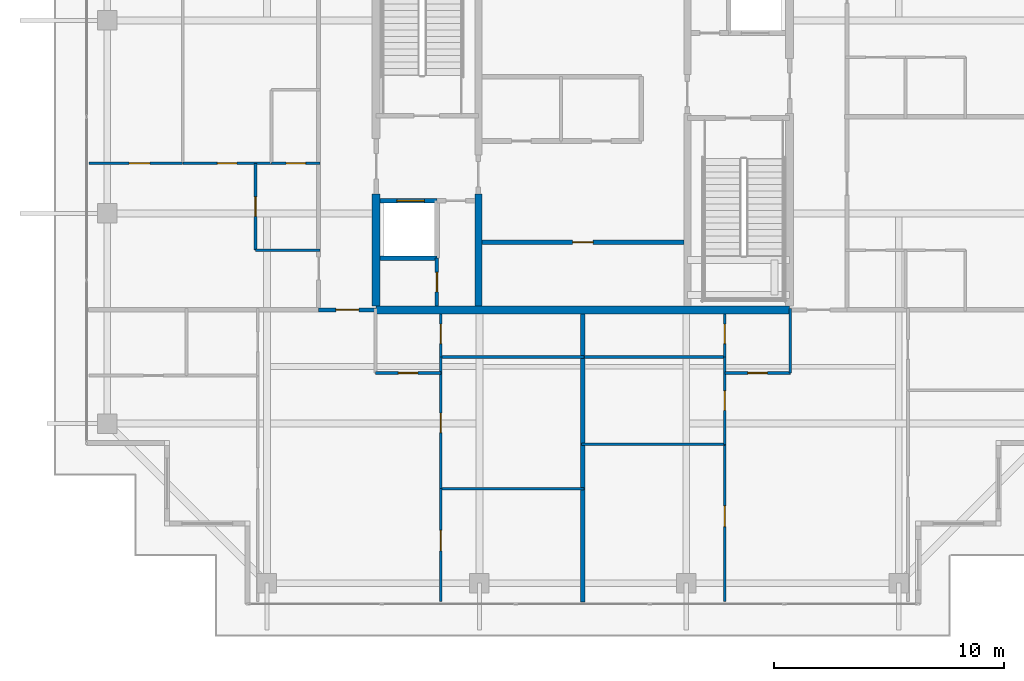
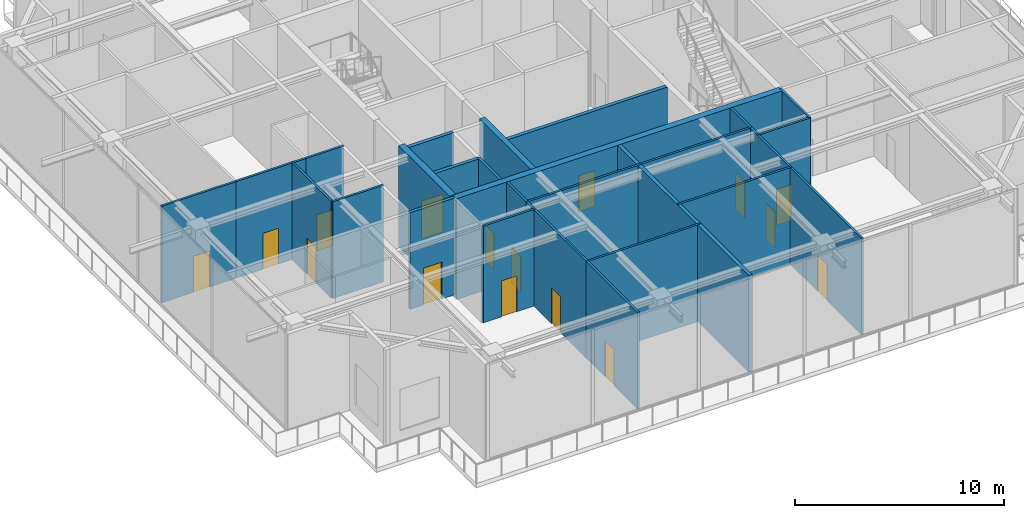
# One storey, part 27 of 40: 27 walls, 16 doors, 16 openings.
"""IFC4 building model written with IfcOpenShell, lengths in metres."""

from ifc_helpers import new_model, si_unit, direction, frame, frame_2d, origin, place, context, subcontext, project, spatial, rectangle, extrude, source, transform, mapped, material, layer, layer_set, type_object, element, fill, save


model = new_model("IFC4")

# Units and contexts
model_context = context("Model", 3, precision=1e-05, world=origin(), true_north=direction((0.0, 1.0)))
body_context = subcontext(model_context, "Body", "Model", "MODEL_VIEW")
ifc_project = project(units=[si_unit("LENGTHUNIT", "METRE"), si_unit("AREAUNIT", "SQUARE_METRE"), si_unit("VOLUMEUNIT", "CUBIC_METRE"), si_unit("PLANEANGLEUNIT", "RADIAN"), si_unit("MASSUNIT", "GRAM", prefix="KILO")], contexts=[model_context])

# Site, building, storey
site_placement = place(None, origin())
site = spatial("IfcSite", under=ifc_project, at=site_placement, CompositionType="ELEMENT")
building_placement = place(site_placement, origin())
building = spatial("IfcBuilding", under=site, at=building_placement, Name="Serunith Strait Residences", CompositionType="ELEMENT")
storey_placement = place(building_placement, frame((0.0, 0.0, 347.949951171875)))
storey = spatial("IfcBuildingStorey", under=building, at=storey_placement, Name="L86", CompositionType="ELEMENT", Elevation=347.949951171875)

# Wall, opening, door
ifc_material_1 = material(Name="Fire-rated masonry service closet wall", Category="masonry")
ifc_layer_1 = layer(ifc_material_1, 0.14990234375, Name="Fire-rated masonry service closet wall")
ifc_layer_set_1 = layer_set([ifc_layer_1], Name="Fire-rated masonry service closet wall")
wall_type_1 = type_object("IfcWallType", Name="IW-BOH-150", PredefinedType="PARTITIONING", material=ifc_layer_set_1)
wall_1_placement = place(storey_placement, frame((26.050048828125, 16.97509765625, 0.0), z_axis=(0.0, 0.0, 1.0), x_axis=(0.0, 1.0, 0.0)))
wall_1 = element("IfcWall", 1, at=wall_1_placement, inside=storey, type_object=wall_type_1, Name="L86 Partition Wall 011", PredefinedType="PARTITIONING", context=body_context, shape_type="SweptSolid", body=[
    extrude(rectangle(XDim=2.072998046875, YDim=0.14990234375, at=frame_2d((1.03662109375, 0.0))), origin(), (0.0, 0.0, 1.0), 5.64013671875),
])
opening_1_placement = place(wall_1_placement, frame((0.611083984375, 0.0, 0.0)))
opening_1 = element("IfcOpeningElement", 2, at=opening_1_placement, cuts=wall_1, Name="Opening FD-850", PredefinedType="OPENING", context=body_context, shape_type="SweptSolid", body=[
    extrude(rectangle(XDim=0.85009765625, YDim=2.10009765625, at=frame_2d((0.425048828125, 1.050048828125))), frame((0.0, 0.0849609375, 0.0), z_axis=(0.0, -1.0, 0.0), x_axis=(1.0, 0.0, 0.0)), (0.0, 0.0, 1.0), 0.169921875),
])
ifc_material_2 = material(Name="Powder-coated steel service closet door", Category="steel")
door_type_1 = type_object("IfcDoorType", Name="FD-BOH-850", OperationType="NOTDEFINED", PredefinedType="DOOR", material=ifc_material_2)
shared_shape_1 = source(origin(), body_context, "Body", "SweptSolid", [
    extrude(rectangle(XDim=0.85009765625, YDim=2.10009765625, at=frame_2d((0.425048828125, 1.050048828125))), frame((0.0, 0.02490234375, 0.0), z_axis=(0.0, -1.0, 0.0), x_axis=(1.0, 0.0, 0.0)), (0.0, 0.0, 1.0), 0.050048828125),
])
door_1_placement = place(opening_1_placement, origin())
door_1 = element("IfcDoor", 3, at=door_1_placement, inside=storey, type_object=door_type_1, Name="L86 Cleaner Store Door", OperationType="SINGLE_SWING_RIGHT", OverallHeight=2.10009765625, OverallWidth=0.85009765625, PredefinedType="DOOR", context=body_context, shape_type="MappedRepresentation", body=[
    mapped(shared_shape_1, transform((0.0, 0.0, 0.0), scale=1.0)),
])
fill(opening_1, door_1)

ifc_material_3 = material(Name="Fire-rated acoustic gypsum partition")
ifc_layer_2 = layer(ifc_material_3, 0.179931640625, Name="Fire-rated acoustic gypsum partition")
ifc_layer_set_2 = layer_set([ifc_layer_2], Name="Fire-rated acoustic gypsum partition")
wall_type_2 = type_object("IfcWallType", Name="IW-CORR-180", PredefinedType="PARTITIONING", material=ifc_layer_set_2)
wall_2_placement = place(storey_placement, frame((20.902099609375, 16.800048828125, 0.0), z_axis=(0.0, 0.0, 1.0), x_axis=(1.0, 0.0, 0.0)))
wall_2 = element("IfcWall", 4, at=wall_2_placement, inside=storey, type_object=wall_type_2, Name="L86 Partition Wall 024", PredefinedType="PARTITIONING", context=body_context, shape_type="SweptSolid", body=[
    extrude(rectangle(XDim=2.495849609375, YDim=0.179931640625, at=frame_2d((1.248046875, 0.0))), origin(), (0.0, 0.0, 1.0), 5.64013671875),
])
opening_2_placement = place(wall_2_placement, frame((0.748046875, 0.0, 0.0)))
opening_2 = element("IfcOpeningElement", 5, at=opening_2_placement, cuts=wall_2, Name="Opening D-APT1000", PredefinedType="OPENING", context=body_context, shape_type="SweptSolid", body=[
    extrude(rectangle(XDim=1.0, YDim=2.14990234375, at=frame_2d((0.5, 1.074951171875))), frame((0.0, 0.10009765625, 0.0), z_axis=(0.0, -1.0, 0.0), x_axis=(1.0, 0.0, 0.0)), (0.0, 0.0, 1.0), 0.199951171875),
])
ifc_material_4 = material(Name="Solid timber engineered fire door", Category="wood")
door_type_2 = type_object("IfcDoorType", Name="ID-APT-1000", OperationType="NOTDEFINED", PredefinedType="DOOR", material=ifc_material_4)
shared_shape_2 = source(origin(), body_context, "Body", "SweptSolid", [
    extrude(rectangle(XDim=1.0, YDim=2.14990234375, at=frame_2d((0.5, 1.074951171875))), frame((0.0, 0.02490234375, 0.0), z_axis=(0.0, -1.0, 0.0), x_axis=(1.0, 0.0, 0.0)), (0.0, 0.0, 1.0), 0.050048828125),
])
door_2_placement = place(opening_2_placement, origin())
door_2 = element("IfcDoor", 6, at=door_2_placement, inside=storey, type_object=door_type_2, Name="L86 Unit 01 Entrance Door", OperationType="SINGLE_SWING_RIGHT", OverallHeight=2.14990234375, OverallWidth=1.0, PredefinedType="DOOR", context=body_context, shape_type="MappedRepresentation", body=[
    mapped(shared_shape_2, transform((0.0, 0.0, 0.0), scale=1.0)),
])
fill(opening_2, door_2)

ifc_material_5 = material(Name="Lightweight steel-stud gypsum partition", Category="steel")
ifc_layer_3 = layer(ifc_material_5, 0.1201171875, Name="Lightweight steel-stud gypsum partition")
ifc_layer_set_3 = layer_set([ifc_layer_3], Name="Lightweight steel-stud gypsum partition")
wall_type_3 = type_object("IfcWallType", Name="IW-PART-120", PredefinedType="PARTITIONING", material=ifc_layer_set_3)
wall_3_placement = place(storey_placement, frame((23.3701171875, 14.050048828125, 0.0), z_axis=(0.0, 0.0, 1.0), x_axis=(1.0, 0.0, 0.0)))
wall_3 = element("IfcWall", 7, at=wall_3_placement, inside=storey, type_object=wall_type_3, Name="L86 Partition Wall 030", PredefinedType="PARTITIONING", context=body_context, shape_type="SweptSolid", body=[
    extrude(rectangle(XDim=2.849853515625, YDim=0.1201171875, at=frame_2d((1.4248046875, 0.0))), origin(), (0.0, 0.0, 1.0), 5.64013671875),
])
opening_3_placement = place(wall_3_placement, frame((1.0, 0.0, 0.0)))
opening_3 = element("IfcOpeningElement", 8, at=opening_3_placement, cuts=wall_3, Name="Opening D-RM850", PredefinedType="OPENING", context=body_context, shape_type="SweptSolid", body=[
    extrude(rectangle(XDim=0.85009765625, YDim=2.10009765625, at=frame_2d((0.425048828125, 1.050048828125))), frame((0.0, 0.070068359375, 0.0), z_axis=(0.0, -1.0, 0.0), x_axis=(1.0, 0.0, 0.0)), (0.0, 0.0, 1.0), 0.14013671875),
])
ifc_material_6 = material(Name="Engineered timber flush study and kitchen door", Category="wood")
door_type_3 = type_object("IfcDoorType", Name="ID-ROOM-850", OperationType="NOTDEFINED", PredefinedType="DOOR", material=ifc_material_6)
door_3_placement = place(opening_3_placement, origin())
door_3 = element("IfcDoor", 9, at=door_3_placement, inside=storey, type_object=door_type_3, Name="L86 Kitchen 8601 Door", OperationType="SINGLE_SWING_RIGHT", OverallHeight=2.10009765625, OverallWidth=0.85009765625, PredefinedType="DOOR", context=body_context, shape_type="MappedRepresentation", body=[
    mapped(shared_shape_1, transform((0.0, 0.0, 0.0), scale=1.0)),
])
fill(opening_3, door_3)

wall_4_placement = place(storey_placement, frame((26.219970703125, 4.094970703125, 0.0), z_axis=(0.0, 0.0, 1.0), x_axis=(0.0, 1.0, 0.0)))
wall_4 = element("IfcWall", 10, at=wall_4_placement, inside=storey, type_object=wall_type_3, Name="L86 Partition Wall 037", PredefinedType="PARTITIONING", context=body_context, shape_type="SweptSolid", body=[
    extrude(rectangle(XDim=4.919921875, YDim=0.1201171875, at=frame_2d((2.4599609375, 0.0))), origin(), (0.0, 0.0, 1.0), 5.64013671875),
])
opening_4_placement = place(wall_4_placement, frame((2.2109375, 0.0, 0.0)))
opening_4 = element("IfcOpeningElement", 11, at=opening_4_placement, cuts=wall_4, Name="Opening D-RM900", PredefinedType="OPENING", context=body_context, shape_type="SweptSolid", body=[
    extrude(rectangle(XDim=0.89990234375, YDim=2.10009765625, at=frame_2d((0.449951171875, 1.050048828125))), frame((0.0, 0.070068359375, 0.0), z_axis=(0.0, -1.0, 0.0), x_axis=(1.0, 0.0, 0.0)), (0.0, 0.0, 1.0), 0.14013671875),
])
ifc_material_7 = material(Name="Engineered timber flush bedroom door", Category="wood")
door_type_4 = type_object("IfcDoorType", Name="ID-ROOM-900", OperationType="NOTDEFINED", PredefinedType="DOOR", material=ifc_material_7)
shared_shape_3 = source(origin(), body_context, "Body", "SweptSolid", [
    extrude(rectangle(XDim=0.89990234375, YDim=2.10009765625, at=frame_2d((0.449951171875, 1.050048828125))), frame((0.0, 0.02490234375, 0.0), z_axis=(0.0, -1.0, 0.0), x_axis=(1.0, 0.0, 0.0)), (0.0, 0.0, 1.0), 0.050048828125),
])
door_4_placement = place(opening_4_placement, origin())
door_4 = element("IfcDoor", 12, at=door_4_placement, inside=storey, type_object=door_type_4, Name="L86 Bedroom 2 8601 Door", OperationType="SINGLE_SWING_RIGHT", OverallHeight=2.10009765625, OverallWidth=0.89990234375, PredefinedType="DOOR", context=body_context, shape_type="MappedRepresentation", body=[
    mapped(shared_shape_3, transform((0.0, 0.0, 0.0), scale=1.0)),
])
fill(opening_4, door_4)

# Walls
for number, where, z_axis, x_axis, name in (
    (13, (26.219970703125, 9.014892578125, 0.0), (0.0, 0.0, 1.0), (1.0, 0.0, 0.0), "L86 Partition Wall 038"),
    (14, (26.219970703125, 14.75, 0.0), (0.0, 0.0, 1.0), (1.0, 0.0, 0.0), "L86 Partition Wall 039"),
):
    element("IfcWall", number, at=place(storey_placement, frame(where, z_axis=z_axis, x_axis=x_axis)), inside=storey, type_object=wall_type_3, Name=name, PredefinedType="PARTITIONING", context=body_context, shape_type="SweptSolid", body=[
        extrude(rectangle(XDim=6.239990234375, YDim=0.1201171875, at=frame_2d((3.1201171875, 0.0))), origin(), (0.0, 0.0, 1.0), 5.64013671875),
    ])

# Wall, opening, door
wall_5_placement = place(storey_placement, frame((26.219970703125, 9.01708984375, 0.0), z_axis=(0.0, 0.0, 1.0), x_axis=(0.0, 1.0, 0.0)))
wall_5 = element("IfcWall", 15, at=wall_5_placement, inside=storey, type_object=wall_type_3, Name="L86 Partition Wall 040", PredefinedType="PARTITIONING", context=body_context, shape_type="SweptSolid", body=[
    extrude(rectangle(XDim=5.73291015625, YDim=0.1201171875, at=frame_2d((2.866455078125, 0.0))), origin(), (0.0, 0.0, 1.0), 5.64013671875),
])
opening_5_placement = place(wall_5_placement, frame((2.44189453125, 0.0, 0.0)))
opening_5 = element("IfcOpeningElement", 16, at=opening_5_placement, cuts=wall_5, Name="Opening D-RM850", PredefinedType="OPENING", context=body_context, shape_type="SweptSolid", body=[
    extrude(rectangle(XDim=0.85009765625, YDim=2.10009765625, at=frame_2d((0.425048828125, 1.050048828125))), frame((0.0, 0.070068359375, 0.0), z_axis=(0.0, -1.0, 0.0), x_axis=(1.0, 0.0, 0.0)), (0.0, 0.0, 1.0), 0.14013671875),
])
door_5_placement = place(opening_5_placement, origin())
door_5 = element("IfcDoor", 17, at=door_5_placement, inside=storey, type_object=door_type_3, Name="L86 Walk-in Wardrobe 8601 Door", OperationType="SINGLE_SWING_LEFT", OverallHeight=2.10009765625, OverallWidth=0.85009765625, PredefinedType="DOOR", context=body_context, shape_type="MappedRepresentation", body=[
    mapped(shared_shape_1, transform((0.0, 0.0, 0.0), scale=1.0)),
])
fill(opening_5, door_5)

wall_6_placement = place(storey_placement, frame((26.219970703125, 14.751953125, 0.0), z_axis=(0.0, 0.0, 1.0), x_axis=(0.0, 1.0, 0.0)))
wall_6 = element("IfcWall", 18, at=wall_6_placement, inside=storey, type_object=wall_type_3, Name="L86 Partition Wall 041", PredefinedType="PARTITIONING", context=body_context, shape_type="SweptSolid", body=[
    extrude(rectangle(XDim=1.873046875, YDim=0.1201171875, at=frame_2d((0.9365234375, 0.0))), origin(), (0.0, 0.0, 1.0), 5.64013671875),
])
opening_6_placement = place(wall_6_placement, frame((0.574951171875, 0.0, 0.0)))
opening_6 = element("IfcOpeningElement", 19, at=opening_6_placement, cuts=wall_6, Name="Opening D-BTH850", PredefinedType="OPENING", context=body_context, shape_type="SweptSolid", body=[
    extrude(rectangle(XDim=0.85009765625, YDim=2.10009765625, at=frame_2d((0.425048828125, 1.050048828125))), frame((0.0, 0.070068359375, 0.0), z_axis=(0.0, -1.0, 0.0), x_axis=(1.0, 0.0, 0.0)), (0.0, 0.0, 1.0), 0.14013671875),
])
ifc_material_8 = material(Name="Moisture-resistant timber bathroom door", Category="wood")
door_type_5 = type_object("IfcDoorType", Name="ID-BATH-850", OperationType="NOTDEFINED", PredefinedType="DOOR", material=ifc_material_8)
door_6_placement = place(opening_6_placement, origin())
door_6 = element("IfcDoor", 20, at=door_6_placement, inside=storey, type_object=door_type_5, Name="L86 Bathroom 8601 Door", OperationType="SINGLE_SWING_RIGHT", OverallHeight=2.10009765625, OverallWidth=0.85009765625, PredefinedType="DOOR", context=body_context, shape_type="MappedRepresentation", body=[
    mapped(shared_shape_1, transform((0.0, 0.0, 0.0), scale=1.0)),
])
fill(opening_6, door_6)

wall_7_placement = place(storey_placement, frame((38.580078125, 14.050048828125, 0.0), z_axis=(0.0, 0.0, 1.0), x_axis=(1.0, 0.0, 0.0)))
wall_7 = element("IfcWall", 21, at=wall_7_placement, inside=storey, type_object=wall_type_3, Name="L86 Partition Wall 042", PredefinedType="PARTITIONING", context=body_context, shape_type="SweptSolid", body=[
    extrude(rectangle(XDim=2.849853515625, YDim=0.1201171875, at=frame_2d((1.4248046875, 0.0))), origin(), (0.0, 0.0, 1.0), 5.64013671875),
])
opening_7_placement = place(wall_7_placement, frame((1.0, 0.0, 0.0)))
opening_7 = element("IfcOpeningElement", 22, at=opening_7_placement, cuts=wall_7, Name="Opening D-RM850", PredefinedType="OPENING", context=body_context, shape_type="SweptSolid", body=[
    extrude(rectangle(XDim=0.85009765625, YDim=2.10009765625, at=frame_2d((0.425048828125, 1.050048828125))), frame((0.0, 0.070068359375, 0.0), z_axis=(0.0, -1.0, 0.0), x_axis=(1.0, 0.0, 0.0)), (0.0, 0.0, 1.0), 0.14013671875),
])
door_7_placement = place(opening_7_placement, origin())
door_7 = element("IfcDoor", 23, at=door_7_placement, inside=storey, type_object=door_type_3, Name="L86 Kitchen 8602 Door", OperationType="SINGLE_SWING_LEFT", OverallHeight=2.10009765625, OverallWidth=0.85009765625, PredefinedType="DOOR", context=body_context, shape_type="MappedRepresentation", body=[
    mapped(shared_shape_1, transform((0.0, 0.0, 0.0), scale=1.0)),
])
fill(opening_7, door_7)

# Wall
wall_8_placement = place(storey_placement, frame((41.429931640625, 14.050048828125, 0.0), z_axis=(0.0, 0.0, 1.0), x_axis=(0.0, 1.0, 0.0)))
element("IfcWall", 24, at=wall_8_placement, inside=storey, type_object=wall_type_3, Name="L86 Partition Wall 043", PredefinedType="PARTITIONING", context=body_context, shape_type="SweptSolid", body=[
    extrude(rectangle(XDim=2.81005859375, YDim=0.1201171875, at=frame_2d((1.405029296875, 0.0))), origin(), (0.0, 0.0, 1.0), 5.64013671875),
])

# Wall, opening, door
wall_9_placement = place(storey_placement, frame((38.580078125, 4.094970703125, 0.0), z_axis=(0.0, 0.0, 1.0), x_axis=(0.0, 1.0, 0.0)))
wall_9 = element("IfcWall", 25, at=wall_9_placement, inside=storey, type_object=wall_type_3, Name="L86 Partition Wall 044", PredefinedType="PARTITIONING", context=body_context, shape_type="SweptSolid", body=[
    extrude(rectangle(XDim=6.85205078125, YDim=0.1201171875, at=frame_2d((3.426025390625, 0.0))), origin(), (0.0, 0.0, 1.0), 5.64013671875),
])
opening_8_placement = place(wall_9_placement, frame((3.27392578125, 0.0, 0.0)))
opening_8 = element("IfcOpeningElement", 26, at=opening_8_placement, cuts=wall_9, Name="Opening D-RM900", PredefinedType="OPENING", context=body_context, shape_type="SweptSolid", body=[
    extrude(rectangle(XDim=0.89990234375, YDim=2.10009765625, at=frame_2d((0.449951171875, 1.050048828125))), frame((0.0, 0.070068359375, 0.0), z_axis=(0.0, -1.0, 0.0), x_axis=(1.0, 0.0, 0.0)), (0.0, 0.0, 1.0), 0.14013671875),
])
door_8_placement = place(opening_8_placement, origin())
door_8 = element("IfcDoor", 27, at=door_8_placement, inside=storey, type_object=door_type_4, Name="L86 Master Bedroom 1 8602 Door", OperationType="SINGLE_SWING_RIGHT", OverallHeight=2.10009765625, OverallWidth=0.89990234375, PredefinedType="DOOR", context=body_context, shape_type="MappedRepresentation", body=[
    mapped(shared_shape_3, transform((0.0, 0.0, 0.0), scale=1.0)),
])
fill(opening_8, door_8)

# Walls
wall_10_placement = place(storey_placement, frame((32.340087890625, 10.947021484375, 0.0), z_axis=(0.0, 0.0, 1.0), x_axis=(1.0, 0.0, 0.0)))
element("IfcWall", 28, at=wall_10_placement, inside=storey, type_object=wall_type_3, Name="L86 Partition Wall 045", PredefinedType="PARTITIONING", context=body_context, shape_type="SweptSolid", body=[
    extrude(rectangle(XDim=6.239990234375, YDim=0.1201171875, at=frame_2d((3.1201171875, 0.0))), origin(), (0.0, 0.0, 1.0), 5.64013671875),
])
wall_11_placement = place(storey_placement, frame((32.4619140625, 14.75, 0.0), z_axis=(0.0, 0.0, 1.0), x_axis=(1.0, 0.0, 0.0)))
element("IfcWall", 29, at=wall_11_placement, inside=storey, type_object=wall_type_3, Name="L86 Partition Wall 046", PredefinedType="PARTITIONING", context=body_context, shape_type="SweptSolid", body=[
    extrude(rectangle(XDim=6.1181640625, YDim=0.1201171875, at=frame_2d((3.05908203125, 0.0))), origin(), (0.0, 0.0, 1.0), 5.64013671875),
])

# Wall, opening, door
wall_12_placement = place(storey_placement, frame((38.580078125, 10.948974609375, 0.0), z_axis=(0.0, 0.0, 1.0), x_axis=(0.0, 1.0, 0.0)))
wall_12 = element("IfcWall", 30, at=wall_12_placement, inside=storey, type_object=wall_type_3, Name="L86 Partition Wall 047", PredefinedType="PARTITIONING", context=body_context, shape_type="SweptSolid", body=[
    extrude(rectangle(XDim=3.801025390625, YDim=0.1201171875, at=frame_2d((1.900390625, 0.0))), origin(), (0.0, 0.0, 1.0), 5.64013671875),
])
opening_9_placement = place(wall_12_placement, frame((1.47607421875, 0.0, 0.0)))
opening_9 = element("IfcOpeningElement", 31, at=opening_9_placement, cuts=wall_12, Name="Opening D-RM850", PredefinedType="OPENING", context=body_context, shape_type="SweptSolid", body=[
    extrude(rectangle(XDim=0.85009765625, YDim=2.10009765625, at=frame_2d((0.425048828125, 1.050048828125))), frame((0.0, 0.070068359375, 0.0), z_axis=(0.0, -1.0, 0.0), x_axis=(1.0, 0.0, 0.0)), (0.0, 0.0, 1.0), 0.14013671875),
])
door_9_placement = place(opening_9_placement, origin())
door_9 = element("IfcDoor", 32, at=door_9_placement, inside=storey, type_object=door_type_3, Name="L86 Study 8602 Door", OperationType="SINGLE_SWING_LEFT", OverallHeight=2.10009765625, OverallWidth=0.85009765625, PredefinedType="DOOR", context=body_context, shape_type="MappedRepresentation", body=[
    mapped(shared_shape_1, transform((0.0, 0.0, 0.0), scale=1.0)),
])
fill(opening_9, door_9)

wall_13_placement = place(storey_placement, frame((38.580078125, 14.751953125, 0.0), z_axis=(0.0, 0.0, 1.0), x_axis=(0.0, 1.0, 0.0)))
wall_13 = element("IfcWall", 33, at=wall_13_placement, inside=storey, type_object=wall_type_3, Name="L86 Partition Wall 048", PredefinedType="PARTITIONING", context=body_context, shape_type="SweptSolid", body=[
    extrude(rectangle(XDim=1.873046875, YDim=0.1201171875, at=frame_2d((0.9365234375, 0.0))), origin(), (0.0, 0.0, 1.0), 5.64013671875),
])
opening_10_placement = place(wall_13_placement, frame((0.574951171875, 0.0, 0.0)))
opening_10 = element("IfcOpeningElement", 34, at=opening_10_placement, cuts=wall_13, Name="Opening D-BTH850", PredefinedType="OPENING", context=body_context, shape_type="SweptSolid", body=[
    extrude(rectangle(XDim=0.85009765625, YDim=2.10009765625, at=frame_2d((0.425048828125, 1.050048828125))), frame((0.0, 0.070068359375, 0.0), z_axis=(0.0, -1.0, 0.0), x_axis=(1.0, 0.0, 0.0)), (0.0, 0.0, 1.0), 0.14013671875),
])
door_10_placement = place(opening_10_placement, origin())
door_10 = element("IfcDoor", 35, at=door_10_placement, inside=storey, type_object=door_type_5, Name="L86 Bathroom 8602 Door", OperationType="SINGLE_SWING_RIGHT", OverallHeight=2.10009765625, OverallWidth=0.85009765625, PredefinedType="DOOR", context=body_context, shape_type="MappedRepresentation", body=[
    mapped(shared_shape_1, transform((0.0, 0.0, 0.0), scale=1.0)),
])
fill(opening_10, door_10)

wall_14_placement = place(storey_placement, frame((18.14990234375, 19.39990234375, 0.0), z_axis=(0.0, 0.0, 1.0), x_axis=(0.0, 1.0, 0.0)))
wall_14 = element("IfcWall", 36, at=wall_14_placement, inside=storey, type_object=wall_type_3, Name="L86 Partition Wall 074", PredefinedType="PARTITIONING", context=body_context, shape_type="SweptSolid", body=[
    extrude(rectangle(XDim=3.780029296875, YDim=0.1201171875, at=frame_2d((1.89013671875, 0.0))), origin(), (0.0, 0.0, 1.0), 5.64013671875),
])
opening_11_placement = place(wall_14_placement, frame((1.465087890625, 0.0, 0.0)))
opening_11 = element("IfcOpeningElement", 37, at=opening_11_placement, cuts=wall_14, Name="Opening D-RM850", PredefinedType="OPENING", context=body_context, shape_type="SweptSolid", body=[
    extrude(rectangle(XDim=0.85009765625, YDim=2.10009765625, at=frame_2d((0.425048828125, 1.050048828125))), frame((0.0, 0.070068359375, 0.0), z_axis=(0.0, -1.0, 0.0), x_axis=(1.0, 0.0, 0.0)), (0.0, 0.0, 1.0), 0.14013671875),
])
door_11_placement = place(opening_11_placement, origin())
door_11 = element("IfcDoor", 38, at=door_11_placement, inside=storey, type_object=door_type_3, Name="L86 Kitchen 8604 Door", OperationType="SINGLE_SWING_RIGHT", OverallHeight=2.10009765625, OverallWidth=0.85009765625, PredefinedType="DOOR", context=body_context, shape_type="MappedRepresentation", body=[
    mapped(shared_shape_1, transform((0.0, 0.0, 0.0), scale=1.0)),
])
fill(opening_11, door_11)

# Wall
wall_15_placement = place(storey_placement, frame((18.14990234375, 19.39990234375, 0.0), z_axis=(0.0, 0.0, 1.0), x_axis=(1.0, 0.0, 0.0)))
element("IfcWall", 39, at=wall_15_placement, inside=storey, type_object=wall_type_3, Name="L86 Partition Wall 075", PredefinedType="PARTITIONING", context=body_context, shape_type="SweptSolid", body=[
    extrude(rectangle(XDim=2.81005859375, YDim=0.1201171875, at=frame_2d((1.405029296875, 0.0))), origin(), (0.0, 0.0, 1.0), 5.64013671875),
])

# Wall, opening, door
wall_16_placement = place(storey_placement, frame((10.89501953125, 23.179931640625, 0.0), z_axis=(0.0, 0.0, 1.0), x_axis=(1.0, 0.0, 0.0)))
wall_16 = element("IfcWall", 40, at=wall_16_placement, inside=storey, type_object=wall_type_3, Name="L86 Partition Wall 076", PredefinedType="PARTITIONING", context=body_context, shape_type="SweptSolid", body=[
    extrude(rectangle(XDim=4.087890625, YDim=0.1201171875, at=frame_2d((2.0439453125, 0.0))), origin(), (0.0, 0.0, 1.0), 5.64013671875),
])
opening_12_placement = place(wall_16_placement, frame((1.7529296875, 0.0, 0.0)))
opening_12 = element("IfcOpeningElement", 41, at=opening_12_placement, cuts=wall_16, Name="Opening D-RM900", PredefinedType="OPENING", context=body_context, shape_type="SweptSolid", body=[
    extrude(rectangle(XDim=0.89990234375, YDim=2.10009765625, at=frame_2d((0.449951171875, 1.050048828125))), frame((0.0, 0.070068359375, 0.0), z_axis=(0.0, -1.0, 0.0), x_axis=(1.0, 0.0, 0.0)), (0.0, 0.0, 1.0), 0.14013671875),
])
door_12_placement = place(opening_12_placement, origin())
door_12 = element("IfcDoor", 42, at=door_12_placement, inside=storey, type_object=door_type_4, Name="L86 Master Bedroom 1 8604 Door", OperationType="SINGLE_SWING_LEFT", OverallHeight=2.10009765625, OverallWidth=0.89990234375, PredefinedType="DOOR", context=body_context, shape_type="MappedRepresentation", body=[
    mapped(shared_shape_3, transform((0.0, 0.0, 0.0), scale=1.0)),
])
fill(opening_12, door_12)

wall_17_placement = place(storey_placement, frame((14.985107421875, 23.179931640625, 0.0), z_axis=(0.0, 0.0, 1.0), x_axis=(1.0, 0.0, 0.0)))
wall_17 = element("IfcWall", 43, at=wall_17_placement, inside=storey, type_object=wall_type_3, Name="L86 Partition Wall 080", PredefinedType="PARTITIONING", context=body_context, shape_type="SweptSolid", body=[
    extrude(rectangle(XDim=3.864990234375, YDim=0.1201171875, at=frame_2d((1.9326171875, 0.0))), origin(), (0.0, 0.0, 1.0), 5.64013671875),
])
opening_13_placement = place(wall_17_placement, frame((1.508056640625, 0.0, 0.0)))
opening_13 = element("IfcOpeningElement", 44, at=opening_13_placement, cuts=wall_17, Name="Opening D-RM850", PredefinedType="OPENING", context=body_context, shape_type="SweptSolid", body=[
    extrude(rectangle(XDim=0.85009765625, YDim=2.10009765625, at=frame_2d((0.425048828125, 1.050048828125))), frame((0.0, 0.070068359375, 0.0), z_axis=(0.0, -1.0, 0.0), x_axis=(1.0, 0.0, 0.0)), (0.0, 0.0, 1.0), 0.14013671875),
])
door_13_placement = place(opening_13_placement, origin())
door_13 = element("IfcDoor", 45, at=door_13_placement, inside=storey, type_object=door_type_3, Name="L86 Walk-in Wardrobe 8604 Door", OperationType="SINGLE_SWING_RIGHT", OverallHeight=2.10009765625, OverallWidth=0.85009765625, PredefinedType="DOOR", context=body_context, shape_type="MappedRepresentation", body=[
    mapped(shared_shape_1, transform((0.0, 0.0, 0.0), scale=1.0)),
])
fill(opening_13, door_13)

wall_18_placement = place(storey_placement, frame((18.85205078125, 23.179931640625, 0.0), z_axis=(0.0, 0.0, 1.0), x_axis=(1.0, 0.0, 0.0)))
wall_18 = element("IfcWall", 46, at=wall_18_placement, inside=storey, type_object=wall_type_3, Name="L86 Partition Wall 081", PredefinedType="PARTITIONING", context=body_context, shape_type="SweptSolid", body=[
    extrude(rectangle(XDim=2.10791015625, YDim=0.1201171875, at=frame_2d((1.053955078125, 0.0))), origin(), (0.0, 0.0, 1.0), 5.64013671875),
])
opening_14_placement = place(wall_18_placement, frame((0.62890625, 0.0, 0.0)))
opening_14 = element("IfcOpeningElement", 47, at=opening_14_placement, cuts=wall_18, Name="Opening D-BTH850", PredefinedType="OPENING", context=body_context, shape_type="SweptSolid", body=[
    extrude(rectangle(XDim=0.85009765625, YDim=2.10009765625, at=frame_2d((0.425048828125, 1.050048828125))), frame((0.0, 0.070068359375, 0.0), z_axis=(0.0, -1.0, 0.0), x_axis=(1.0, 0.0, 0.0)), (0.0, 0.0, 1.0), 0.14013671875),
])
door_14_placement = place(opening_14_placement, origin())
door_14 = element("IfcDoor", 48, at=door_14_placement, inside=storey, type_object=door_type_5, Name="L86 Bathroom 8604 Door", OperationType="SINGLE_SWING_LEFT", OverallHeight=2.10009765625, OverallWidth=0.85009765625, PredefinedType="DOOR", context=body_context, shape_type="MappedRepresentation", body=[
    mapped(shared_shape_1, transform((0.0, 0.0, 0.0), scale=1.0)),
])
fill(opening_14, door_14)

# Wall
ifc_material_9 = material(Name="Twin-stud acoustic gypsum board partition")
ifc_layer_4 = layer(ifc_material_9, 0.199951171875, Name="Twin-stud acoustic gypsum board partition")
ifc_layer_set_4 = layer_set([ifc_layer_4], Name="Twin-stud acoustic gypsum board partition")
wall_type_4 = type_object("IfcWallType", Name="IW-PARTY-200", PredefinedType="PARTITIONING", material=ifc_layer_set_4)
wall_19_placement = place(storey_placement, frame((32.39990234375, 4.08203125, 0.0), z_axis=(0.0, 0.0, 1.0), x_axis=(0.0, 1.0, 0.0)))
element("IfcWall", 49, at=wall_19_placement, inside=storey, type_object=wall_type_4, Name="L86 Partition Wall 018", PredefinedType="PARTITIONING", context=body_context, shape_type="SweptSolid", body=[
    extrude(rectangle(XDim=12.54296875, YDim=0.199951171875, at=frame_2d((6.271484375, 0.0))), origin(), (0.0, 0.0, 1.0), 5.64013671875),
])

# Wall, opening, door
ifc_material_10 = material(Name="Autoclaved aerated concrete blockwork", Category="masonry")
ifc_layer_5 = layer(ifc_material_10, 0.199951171875, Name="Autoclaved aerated concrete blockwork")
ifc_layer_set_5 = layer_set([ifc_layer_5], Name="Autoclaved aerated concrete blockwork")
wall_type_5 = type_object("IfcWallType", Name="IW-SHAFT-200", PredefinedType="STANDARD", material=ifc_layer_set_5)
wall_20_placement = place(storey_placement, frame((23.574951171875, 21.550048828125, 0.0), z_axis=(0.0, 0.0, 1.0), x_axis=(1.0, 0.0, 0.0)))
wall_20 = element("IfcWall", 50, at=wall_20_placement, inside=storey, type_object=wall_type_5, Name="L86 FL-1 North Shaft Wall", PredefinedType="STANDARD", context=body_context, shape_type="SweptSolid", body=[
    extrude(rectangle(XDim=2.47509765625, YDim=0.199951171875, at=frame_2d((1.237548828125, 0.0))), origin(), (0.0, 0.0, 1.0), 5.64013671875),
])
opening_15_placement = place(wall_20_placement, frame((0.72509765625, 0.0, 0.0)))
opening_15 = element("IfcOpeningElement", 51, at=opening_15_placement, cuts=wall_20, Name="Opening LD-FF1200", PredefinedType="OPENING", context=body_context, shape_type="SweptSolid", body=[
    extrude(rectangle(XDim=1.199951171875, YDim=2.199951171875, at=frame_2d((0.60009765625, 1.10009765625))), frame((0.0, 0.10986328125, 0.0), z_axis=(0.0, -1.0, 0.0), x_axis=(1.0, 0.0, 0.0)), (0.0, 0.0, 1.0), 0.219970703125),
])
ifc_material_11 = material(Name="Brushed stainless steel landing door", Category="steel")
door_type_6 = type_object("IfcDoorType", Name="LD-FF-1200", OperationType="DOUBLE_DOOR_SLIDING", PredefinedType="DOOR", material=ifc_material_11)
shared_shape_4 = source(origin(), body_context, "Body", "SweptSolid", [
    extrude(rectangle(XDim=1.199951171875, YDim=2.199951171875, at=frame_2d((0.60009765625, 1.10009765625))), frame((0.0, 0.02490234375, 0.0), z_axis=(0.0, -1.0, 0.0), x_axis=(1.0, 0.0, 0.0)), (0.0, 0.0, 1.0), 0.050048828125),
])
door_15_placement = place(opening_15_placement, origin())
door_15 = element("IfcDoor", 52, at=door_15_placement, inside=storey, type_object=door_type_6, Name="L86 FL-1 Landing Door", OperationType="DOUBLE_DOOR_SLIDING", OverallHeight=2.199951171875, OverallWidth=1.199951171875, PredefinedType="DOOR", context=body_context, shape_type="MappedRepresentation", body=[
    mapped(shared_shape_4, transform((0.0, 0.0, 0.0), scale=1.0)),
])
fill(opening_15, door_15)

# Wall
wall_21_placement = place(storey_placement, frame((23.574951171875, 19.050048828125, 0.0), z_axis=(0.0, 0.0, 1.0), x_axis=(1.0, 0.0, 0.0)))
element("IfcWall", 53, at=wall_21_placement, inside=storey, type_object=wall_type_5, Name="L86 Partition Wall 002", PredefinedType="STANDARD", context=body_context, shape_type="SweptSolid", body=[
    extrude(rectangle(XDim=2.47509765625, YDim=0.199951171875, at=frame_2d((1.237548828125, 0.0))), origin(), (0.0, 0.0, 1.0), 5.64013671875),
])

# Wall, opening, door
wall_22_placement = place(storey_placement, frame((28.0, 19.75, 0.0), z_axis=(0.0, 0.0, 1.0), x_axis=(1.0, 0.0, 0.0)))
wall_22 = element("IfcWall", 54, at=wall_22_placement, inside=storey, type_object=wall_type_5, Name="L86 Partition Wall 012", PredefinedType="STANDARD", context=body_context, shape_type="SweptSolid", body=[
    extrude(rectangle(XDim=8.800048828125, YDim=0.199951171875, at=frame_2d((4.39990234375, 0.0))), origin(), (0.0, 0.0, 1.0), 5.64013671875),
])
opening_16_placement = place(wall_22_placement, frame((3.949951171875, 0.0, 0.0)))
opening_16 = element("IfcOpeningElement", 55, at=opening_16_placement, cuts=wall_22, Name="Opening FD-900", PredefinedType="OPENING", context=body_context, shape_type="SweptSolid", body=[
    extrude(rectangle(XDim=0.89990234375, YDim=2.10009765625, at=frame_2d((0.449951171875, 1.050048828125))), frame((0.0, 0.10986328125, 0.0), z_axis=(0.0, -1.0, 0.0), x_axis=(1.0, 0.0, 0.0)), (0.0, 0.0, 1.0), 0.219970703125),
])
ifc_material_12 = material(Name="Powder-coated steel riser door", Category="steel")
door_type_7 = type_object("IfcDoorType", Name="FD-BOH-900", OperationType="NOTDEFINED", PredefinedType="DOOR", material=ifc_material_12)
door_16_placement = place(opening_16_placement, origin())
door_16 = element("IfcDoor", 56, at=door_16_placement, inside=storey, type_object=door_type_7, Name="L86 Reclaimed BMS Plant Door", OperationType="SINGLE_SWING_LEFT", OverallHeight=2.10009765625, OverallWidth=0.89990234375, PredefinedType="DOOR", context=body_context, shape_type="MappedRepresentation", body=[
    mapped(shared_shape_3, transform((0.0, 0.0, 0.0), scale=1.0)),
])
fill(opening_16, door_16)

# Walls
ifc_material_13 = material(Name="Concrete C60/75", Category="concrete")
ifc_layer_6 = layer(ifc_material_13, 0.300048828125, Name="Concrete C60/75")
ifc_layer_set_6 = layer_set([ifc_layer_6], Name="Concrete C60/75")
wall_type_6 = type_object("IfcWallType", Name="SW-300-C60", PredefinedType="SHEAR", material=ifc_layer_set_6)
wall_23_placement = place(storey_placement, frame((27.85009765625, 16.97509765625, -0.260009765625), z_axis=(0.0, 0.0, 1.0), x_axis=(0.0, 1.0, 0.0)))
element("IfcWall", 57, at=wall_23_placement, inside=storey, type_object=wall_type_6, Name="L86 Core Internal West Web South Pier", PredefinedType="SHEAR", context=body_context, shape_type="SweptSolid", body=[
    extrude(rectangle(XDim=4.875, YDim=0.300048828125, at=frame_2d((2.4375, 0.0))), origin(), (0.0, 0.0, 1.0), 5.89794921875),
])
ifc_layer_7 = layer(ifc_material_13, 0.35009765625, Name="Concrete C60/75")
ifc_layer_set_7 = layer_set([ifc_layer_7], Name="Concrete C60/75")
wall_type_7 = type_object("IfcWallType", Name="SW-350-C60", PredefinedType="SHEAR", material=ifc_layer_set_7)
wall_24_placement = place(storey_placement, frame((23.39990234375, 16.800048828125, -0.260009765625), z_axis=(0.0, 0.0, 1.0), x_axis=(1.0, 0.0, 0.0)))
element("IfcWall", 58, at=wall_24_placement, inside=storey, type_object=wall_type_7, Name="L86 Core South Shear Wall", PredefinedType="SHEAR", context=body_context, shape_type="SweptSolid", body=[
    extrude(rectangle(XDim=18.0, YDim=0.35009765625, at=frame_2d((9.0, 0.0))), origin(), (0.0, 0.0, 1.0), 5.89794921875),
])
wall_25_placement = place(storey_placement, frame((23.39990234375, 16.97509765625, -0.260009765625), z_axis=(0.0, 0.0, 1.0), x_axis=(0.0, 1.0, 0.0)))
element("IfcWall", 59, at=wall_25_placement, inside=storey, type_object=wall_type_7, Name="L86 Core West Shear Wall South Pier", PredefinedType="SHEAR", context=body_context, shape_type="SweptSolid", body=[
    extrude(rectangle(XDim=4.875, YDim=0.35009765625, at=frame_2d((2.4375, 0.0))), origin(), (0.0, 0.0, 1.0), 5.89794921875),
])

save(model, "model.ifc")
